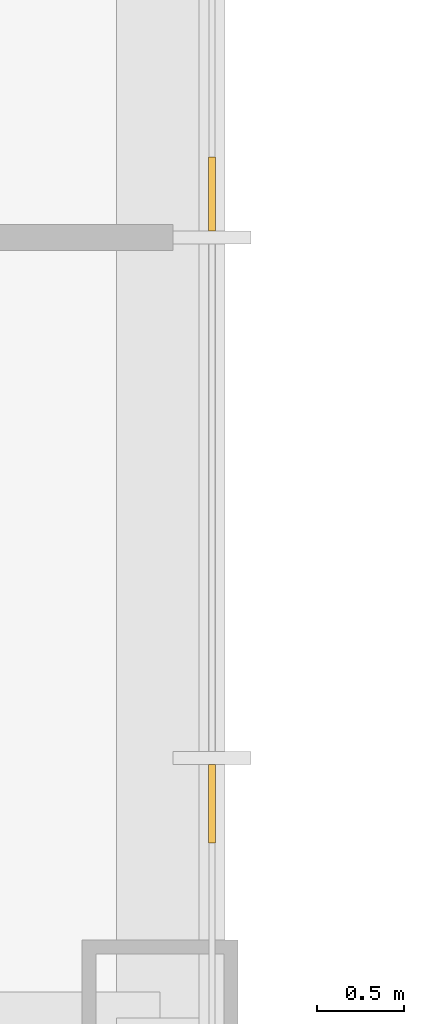
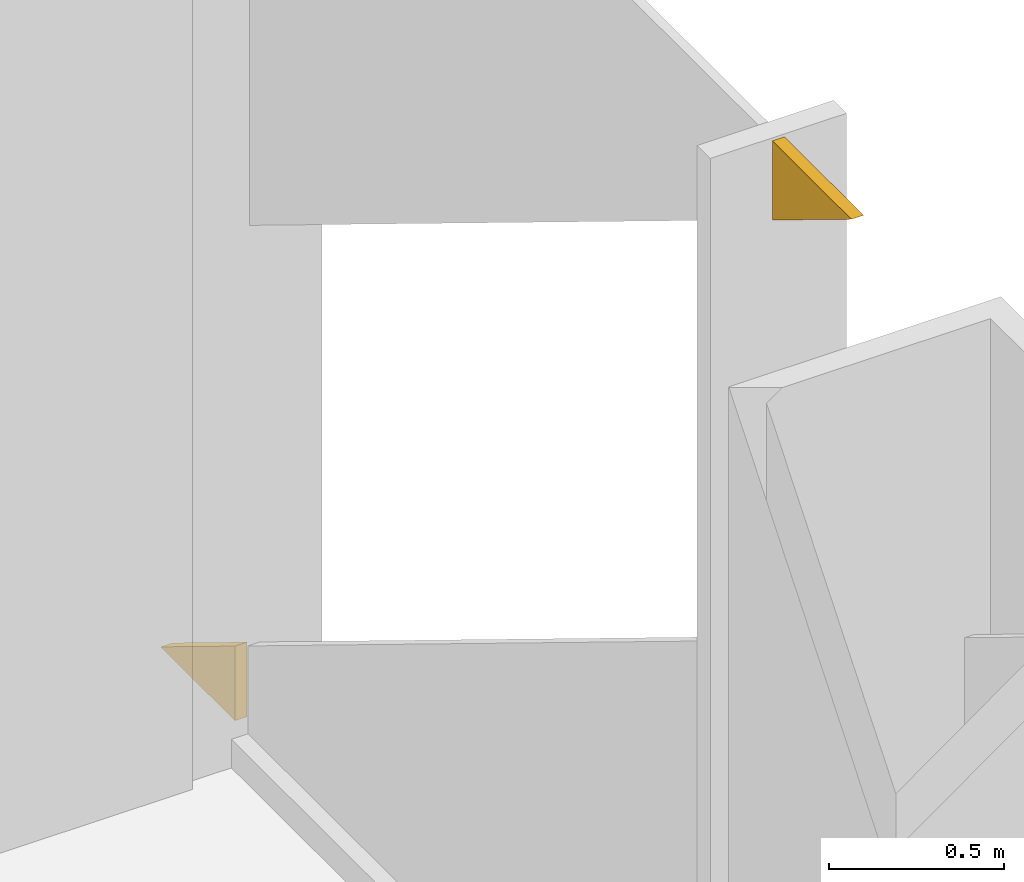
# One storey, part 15 of 17: 2 coverings.
"""IFC4 building model written with IfcOpenShell, lengths in metres."""

from ifc_helpers import new_model, si_unit, direction, frame, origin, place, context, subcontext, project, spatial, polyline, outline, extrude, material, layer, layer_set, type_object, element, save


model = new_model("IFC4")

# Units and contexts
model_context = context("Model", 3, precision=1e-05, world=origin(), true_north=direction((0.0, 1.0)))
body_context = subcontext(model_context, "Body", "Model", "MODEL_VIEW")
ifc_project = project(units=[si_unit("LENGTHUNIT", "METRE"), si_unit("AREAUNIT", "SQUARE_METRE"), si_unit("VOLUMEUNIT", "CUBIC_METRE"), si_unit("PLANEANGLEUNIT", "RADIAN"), si_unit("MASSUNIT", "GRAM", prefix="KILO")], contexts=[model_context])

# Site, building, storey
site_placement = place(None, origin())
site = spatial("IfcSite", under=ifc_project, at=site_placement, CompositionType="ELEMENT")
building_placement = place(site_placement, origin())
building = spatial("IfcBuilding", under=site, at=building_placement, Name="Malebo Sky Hospital", CompositionType="ELEMENT")
storey_placement = place(building_placement, frame((0.0, 0.0, 83.0)))
storey = spatial("IfcBuildingStorey", under=building, at=storey_placement, Name="L19", CompositionType="ELEMENT", Elevation=83.0)

# Coverings
ifc_material = material(Name="Anodised aluminium, natural silver insulated infill panel", Category="aluminium")
ifc_layer = layer(ifc_material, 0.0400390625)
ifc_layer_set = layer_set([ifc_layer], Name="BRACE INFILL PANEL 40")
covering_type = type_object("IfcCoveringType", Name="BRACE INFILL PANEL 40", PredefinedType="CLADDING", material=ifc_layer_set)
covering_1_placement = place(storey_placement, frame((85.5, 53.25, 0.10009765625), z_axis=(0.0, 0.0, 1.0), x_axis=(0.0, -1.0, 0.0)))
element("IfcCovering", 1, at=covering_1_placement, inside=storey, type_object=covering_type, Name="Brace infill panel 10.1", PredefinedType="CLADDING", context=body_context, shape_type="SweptSolid", body=[
    extrude(outline(polyline([(-0.212646484375, 0.0), (0.212646484375, 0.0), (0.212646484375, 0.2607421875), (-0.212646484375, 0.0)])), frame((0.0, 0.02001953125, 0.0), z_axis=(0.0, -1.0, 0.0), x_axis=(1.0, 0.0, 0.0)), (0.0, 0.0, 1.0), 0.0400390625),
])
covering_2_placement = place(storey_placement, frame((85.5, 49.736572265625, 3.713134765625), z_axis=(0.0, 0.0, 1.0), x_axis=(0.0, -1.0, 0.0)))
element("IfcCovering", 2, at=covering_2_placement, inside=storey, type_object=covering_type, Name="Brace infill panel 12.1", PredefinedType="CLADDING", context=body_context, shape_type="SweptSolid", body=[
    extrude(outline(polyline([(-0.225830078125, 0.0), (0.225830078125, 0.27685546875), (-0.225830078125, 0.27685546875), (-0.225830078125, 0.0)])), frame((0.0, 0.02001953125, 0.0), z_axis=(0.0, -1.0, 0.0), x_axis=(1.0, 0.0, 0.0)), (0.0, 0.0, 1.0), 0.0400390625),
])

save(model, "model.ifc")
